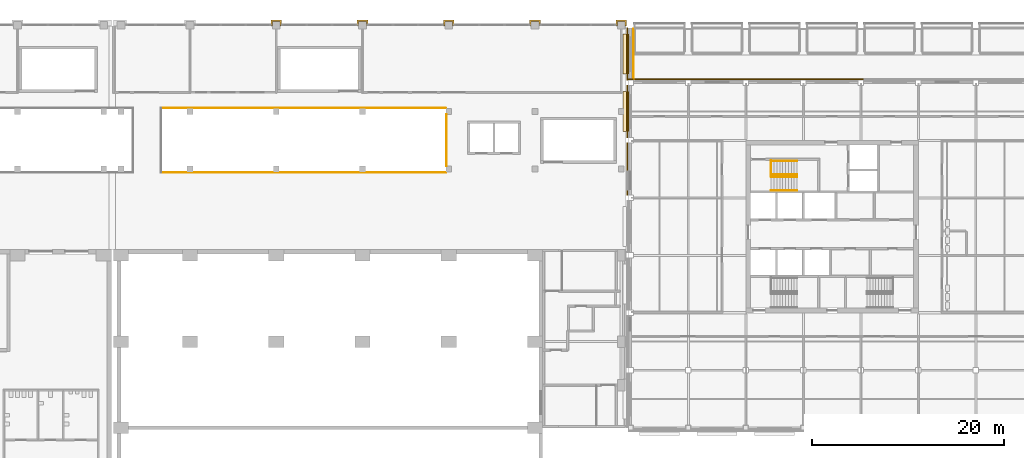
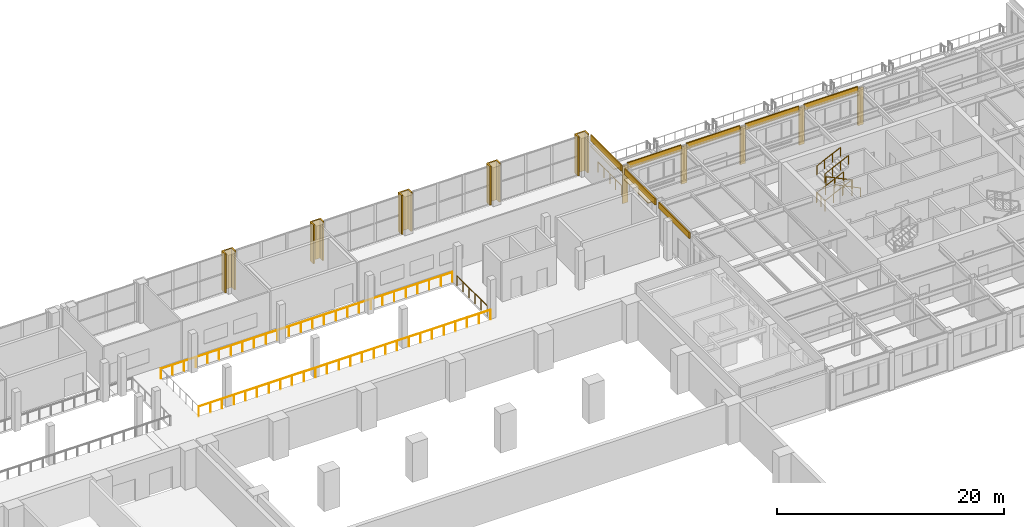
# One storey, part 35 of 39: 19 coverings, 11 railings.
"""IFC4 building model written with IfcOpenShell, lengths in metres."""

from ifc_helpers import new_model, si_unit, direction, frame, origin, origin_2d, place, context, subcontext, project, spatial, polyline, circle, outline, extrude, material, layer, layer_set, type_object, element, save


model = new_model("IFC4")

# Units and contexts
model_context = context("Model", 3, precision=1e-05, world=origin(), true_north=direction((0.0, 1.0)))
body_context = subcontext(model_context, "Body", "Model", "MODEL_VIEW")
ifc_project = project(units=[si_unit("LENGTHUNIT", "METRE"), si_unit("AREAUNIT", "SQUARE_METRE"), si_unit("VOLUMEUNIT", "CUBIC_METRE"), si_unit("PLANEANGLEUNIT", "RADIAN"), si_unit("MASSUNIT", "GRAM", prefix="KILO")], contexts=[model_context])

# Site, building, storey
site_placement = place(None, origin())
site = spatial("IfcSite", under=ifc_project, at=site_placement, CompositionType="ELEMENT")
building_placement = place(site_placement, origin())
building = spatial("IfcBuilding", under=site, at=building_placement, Name="Aravalli Gate Trade Fair Centre", CompositionType="ELEMENT")
storey_placement = place(building_placement, frame((0.0, 0.0, 15.0)))
storey = spatial("IfcBuildingStorey", under=building, at=storey_placement, Name="L03", CompositionType="ELEMENT", Elevation=15.0)

# Railings
ifc_material_1 = material(Name="Steel E350", Category="steel")
railing_type_1 = type_object("IfcRailingType", Name="Concourse guard 1100", PredefinedType="GUARDRAIL", material=ifc_material_1)
railing_1_placement = place(storey_placement, frame((110.949951171875, 117.64990234375, 0.0)))
element("IfcRailing", 1, at=railing_1_placement, inside=storey, type_object=railing_type_1, Name="Atrium guard S4 L03", PredefinedType="GUARDRAIL", context=body_context, shape_type="SweptSolid", body=[
    extrude(circle(Radius=0.02392578125, at=origin_2d()), frame((0.0, 0.0, 1.076171875), z_axis=(1.0, 0.0, 0.0), x_axis=(0.0, 1.0, 0.0)), (0.0, 0.0, 1.0), 29.75),
    extrude(circle(Radius=0.02099609375, at=origin_2d()), origin(), (0.0, 0.0, 1.0), 1.052001953125),
    extrude(circle(Radius=0.02099609375, at=origin_2d()), frame((1.18994140625, 0.0, 0.0)), (0.0, 0.0, 1.0), 1.052001953125),
    extrude(circle(Radius=0.02099609375, at=origin_2d()), frame((2.3798828125, 0.0, 0.0)), (0.0, 0.0, 1.0), 1.052001953125),
    extrude(circle(Radius=0.02099609375, at=origin_2d()), frame((3.570068359375, 0.0, 0.0)), (0.0, 0.0, 1.0), 1.052001953125),
    extrude(circle(Radius=0.02099609375, at=origin_2d()), frame((4.760009765625, 0.0, 0.0)), (0.0, 0.0, 1.0), 1.052001953125),
    extrude(circle(Radius=0.02099609375, at=origin_2d()), frame((5.949951171875, 0.0, 0.0)), (0.0, 0.0, 1.0), 1.052001953125),
    extrude(circle(Radius=0.02099609375, at=origin_2d()), frame((7.139892578125, 0.0, 0.0)), (0.0, 0.0, 1.0), 1.052001953125),
    extrude(circle(Radius=0.02099609375, at=origin_2d()), frame((8.330078125, 0.0, 0.0)), (0.0, 0.0, 1.0), 1.052001953125),
    extrude(circle(Radius=0.02099609375, at=origin_2d()), frame((9.52001953125, 0.0, 0.0)), (0.0, 0.0, 1.0), 1.052001953125),
    extrude(circle(Radius=0.02099609375, at=origin_2d()), frame((10.7099609375, 0.0, 0.0)), (0.0, 0.0, 1.0), 1.052001953125),
    extrude(circle(Radius=0.02099609375, at=origin_2d()), frame((11.89990234375, 0.0, 0.0)), (0.0, 0.0, 1.0), 1.052001953125),
    extrude(circle(Radius=0.02099609375, at=origin_2d()), frame((13.090087890625, 0.0, 0.0)), (0.0, 0.0, 1.0), 1.052001953125),
    extrude(circle(Radius=0.02099609375, at=origin_2d()), frame((14.280029296875, 0.0, 0.0)), (0.0, 0.0, 1.0), 1.052001953125),
    extrude(circle(Radius=0.02099609375, at=origin_2d()), frame((15.469970703125, 0.0, 0.0)), (0.0, 0.0, 1.0), 1.052001953125),
    extrude(circle(Radius=0.02099609375, at=origin_2d()), frame((16.659912109375, 0.0, 0.0)), (0.0, 0.0, 1.0), 1.052001953125),
    extrude(circle(Radius=0.02099609375, at=origin_2d()), frame((17.85009765625, 0.0, 0.0)), (0.0, 0.0, 1.0), 1.052001953125),
    extrude(circle(Radius=0.02099609375, at=origin_2d()), frame((19.0400390625, 0.0, 0.0)), (0.0, 0.0, 1.0), 1.052001953125),
    extrude(circle(Radius=0.02099609375, at=origin_2d()), frame((20.22998046875, 0.0, 0.0)), (0.0, 0.0, 1.0), 1.052001953125),
    extrude(circle(Radius=0.02099609375, at=origin_2d()), frame((21.419921875, 0.0, 0.0)), (0.0, 0.0, 1.0), 1.052001953125),
    extrude(circle(Radius=0.02099609375, at=origin_2d()), frame((22.610107421875, 0.0, 0.0)), (0.0, 0.0, 1.0), 1.052001953125),
    extrude(circle(Radius=0.02099609375, at=origin_2d()), frame((23.800048828125, 0.0, 0.0)), (0.0, 0.0, 1.0), 1.052001953125),
    extrude(circle(Radius=0.02099609375, at=origin_2d()), frame((24.989990234375, 0.0, 0.0)), (0.0, 0.0, 1.0), 1.052001953125),
    extrude(circle(Radius=0.02099609375, at=origin_2d()), frame((26.179931640625, 0.0, 0.0)), (0.0, 0.0, 1.0), 1.052001953125),
    extrude(circle(Radius=0.02099609375, at=origin_2d()), frame((27.3701171875, 0.0, 0.0)), (0.0, 0.0, 1.0), 1.052001953125),
    extrude(circle(Radius=0.02099609375, at=origin_2d()), frame((28.56005859375, 0.0, 0.0)), (0.0, 0.0, 1.0), 1.052001953125),
    extrude(circle(Radius=0.02099609375, at=origin_2d()), frame((29.75, 0.0, 0.0)), (0.0, 0.0, 1.0), 1.052001953125),
])
railing_2_placement = place(storey_placement, frame((110.949951171875, 124.35009765625, 0.0)))
element("IfcRailing", 2, at=railing_2_placement, inside=storey, type_object=railing_type_1, Name="Atrium guard N4 L03", PredefinedType="GUARDRAIL", context=body_context, shape_type="SweptSolid", body=[
    extrude(circle(Radius=0.02392578125, at=origin_2d()), frame((0.0, 0.0, 1.076171875), z_axis=(1.0, 0.0, 0.0), x_axis=(0.0, 1.0, 0.0)), (0.0, 0.0, 1.0), 29.75),
    extrude(circle(Radius=0.02099609375, at=origin_2d()), origin(), (0.0, 0.0, 1.0), 1.052001953125),
    extrude(circle(Radius=0.02099609375, at=origin_2d()), frame((1.18994140625, 0.0, 0.0)), (0.0, 0.0, 1.0), 1.052001953125),
    extrude(circle(Radius=0.02099609375, at=origin_2d()), frame((2.3798828125, 0.0, 0.0)), (0.0, 0.0, 1.0), 1.052001953125),
    extrude(circle(Radius=0.02099609375, at=origin_2d()), frame((3.570068359375, 0.0, 0.0)), (0.0, 0.0, 1.0), 1.052001953125),
    extrude(circle(Radius=0.02099609375, at=origin_2d()), frame((4.760009765625, 0.0, 0.0)), (0.0, 0.0, 1.0), 1.052001953125),
    extrude(circle(Radius=0.02099609375, at=origin_2d()), frame((5.949951171875, 0.0, 0.0)), (0.0, 0.0, 1.0), 1.052001953125),
    extrude(circle(Radius=0.02099609375, at=origin_2d()), frame((7.139892578125, 0.0, 0.0)), (0.0, 0.0, 1.0), 1.052001953125),
    extrude(circle(Radius=0.02099609375, at=origin_2d()), frame((8.330078125, 0.0, 0.0)), (0.0, 0.0, 1.0), 1.052001953125),
    extrude(circle(Radius=0.02099609375, at=origin_2d()), frame((9.52001953125, 0.0, 0.0)), (0.0, 0.0, 1.0), 1.052001953125),
    extrude(circle(Radius=0.02099609375, at=origin_2d()), frame((10.7099609375, 0.0, 0.0)), (0.0, 0.0, 1.0), 1.052001953125),
    extrude(circle(Radius=0.02099609375, at=origin_2d()), frame((11.89990234375, 0.0, 0.0)), (0.0, 0.0, 1.0), 1.052001953125),
    extrude(circle(Radius=0.02099609375, at=origin_2d()), frame((13.090087890625, 0.0, 0.0)), (0.0, 0.0, 1.0), 1.052001953125),
    extrude(circle(Radius=0.02099609375, at=origin_2d()), frame((14.280029296875, 0.0, 0.0)), (0.0, 0.0, 1.0), 1.052001953125),
    extrude(circle(Radius=0.02099609375, at=origin_2d()), frame((15.469970703125, 0.0, 0.0)), (0.0, 0.0, 1.0), 1.052001953125),
    extrude(circle(Radius=0.02099609375, at=origin_2d()), frame((16.659912109375, 0.0, 0.0)), (0.0, 0.0, 1.0), 1.052001953125),
    extrude(circle(Radius=0.02099609375, at=origin_2d()), frame((17.85009765625, 0.0, 0.0)), (0.0, 0.0, 1.0), 1.052001953125),
    extrude(circle(Radius=0.02099609375, at=origin_2d()), frame((19.0400390625, 0.0, 0.0)), (0.0, 0.0, 1.0), 1.052001953125),
    extrude(circle(Radius=0.02099609375, at=origin_2d()), frame((20.22998046875, 0.0, 0.0)), (0.0, 0.0, 1.0), 1.052001953125),
    extrude(circle(Radius=0.02099609375, at=origin_2d()), frame((21.419921875, 0.0, 0.0)), (0.0, 0.0, 1.0), 1.052001953125),
    extrude(circle(Radius=0.02099609375, at=origin_2d()), frame((22.610107421875, 0.0, 0.0)), (0.0, 0.0, 1.0), 1.052001953125),
    extrude(circle(Radius=0.02099609375, at=origin_2d()), frame((23.800048828125, 0.0, 0.0)), (0.0, 0.0, 1.0), 1.052001953125),
    extrude(circle(Radius=0.02099609375, at=origin_2d()), frame((24.989990234375, 0.0, 0.0)), (0.0, 0.0, 1.0), 1.052001953125),
    extrude(circle(Radius=0.02099609375, at=origin_2d()), frame((26.179931640625, 0.0, 0.0)), (0.0, 0.0, 1.0), 1.052001953125),
    extrude(circle(Radius=0.02099609375, at=origin_2d()), frame((27.3701171875, 0.0, 0.0)), (0.0, 0.0, 1.0), 1.052001953125),
    extrude(circle(Radius=0.02099609375, at=origin_2d()), frame((28.56005859375, 0.0, 0.0)), (0.0, 0.0, 1.0), 1.052001953125),
    extrude(circle(Radius=0.02099609375, at=origin_2d()), frame((29.75, 0.0, 0.0)), (0.0, 0.0, 1.0), 1.052001953125),
])
railing_3_placement = place(storey_placement, frame((140.75, 118.300048828125, 0.0)))
element("IfcRailing", 3, at=railing_3_placement, inside=storey, type_object=railing_type_1, Name="Atrium guard E L03", PredefinedType="GUARDRAIL", context=body_context, shape_type="SweptSolid", body=[
    extrude(circle(Radius=0.02392578125, at=origin_2d()), frame((0.0, 0.0, 1.076171875), z_axis=(0.0, 1.0, 0.0), x_axis=(-1.0, 0.0, 0.0)), (0.0, 0.0, 1.0), 5.39990234375),
    extrude(circle(Radius=0.02099609375, at=origin_2d()), origin(), (0.0, 0.0, 1.0), 1.052001953125),
    extrude(circle(Radius=0.02099609375, at=origin_2d()), frame((0.0, 1.080078125, 0.0)), (0.0, 0.0, 1.0), 1.052001953125),
    extrude(circle(Radius=0.02099609375, at=origin_2d()), frame((0.0, 2.159912109375, 0.0)), (0.0, 0.0, 1.0), 1.052001953125),
    extrude(circle(Radius=0.02099609375, at=origin_2d()), frame((0.0, 3.239990234375, 0.0)), (0.0, 0.0, 1.0), 1.052001953125),
    extrude(circle(Radius=0.02099609375, at=origin_2d()), frame((0.0, 4.31982421875, 0.0)), (0.0, 0.0, 1.0), 1.052001953125),
    extrude(circle(Radius=0.02099609375, at=origin_2d()), frame((0.0, 5.39990234375, 0.0)), (0.0, 0.0, 1.0), 1.052001953125),
])

# Coverings
ifc_material_2 = material(Name="Glazed terracotta", Category="masonry")
ifc_layer_1 = layer(ifc_material_2, 0.14990234375)
ifc_layer_set_1 = layer_set([ifc_layer_1], Name="Glazed terracotta")
covering_type_1 = type_object("IfcCoveringType", Name="Terracotta pier casing 150", PredefinedType="CLADDING", material=ifc_layer_set_1)
covering_1_placement = place(storey_placement, origin())
element("IfcCovering", 4, at=covering_1_placement, inside=storey, type_object=covering_type_1, Name="Pier casing K14 L03", PredefinedType="CLADDING", context=body_context, shape_type="SweptSolid", body=[
    extrude(outline(polyline([(122.449951171875, 132.919921875), (122.60009765625, 132.919921875), (122.60009765625, 133.39990234375), (123.39990234375, 133.39990234375), (123.39990234375, 132.919921875), (123.550048828125, 132.919921875), (123.550048828125, 133.550048828125), (122.449951171875, 133.550048828125), (122.449951171875, 132.919921875)])), origin(), (0.0, 0.0, 1.0), 4.199951171875),
])
covering_2_placement = place(storey_placement, origin())
element("IfcCovering", 5, at=covering_2_placement, inside=storey, type_object=covering_type_1, Name="Pier casing K15 L03", PredefinedType="CLADDING", context=body_context, shape_type="SweptSolid", body=[
    extrude(outline(polyline([(131.449951171875, 132.919921875), (131.60009765625, 132.919921875), (131.60009765625, 133.39990234375), (132.39990234375, 133.39990234375), (132.39990234375, 132.919921875), (132.550048828125, 132.919921875), (132.550048828125, 133.550048828125), (131.449951171875, 133.550048828125), (131.449951171875, 132.919921875)])), origin(), (0.0, 0.0, 1.0), 4.199951171875),
])
covering_3_placement = place(storey_placement, origin())
element("IfcCovering", 6, at=covering_3_placement, inside=storey, type_object=covering_type_1, Name="Pier casing K16 L03", PredefinedType="CLADDING", context=body_context, shape_type="SweptSolid", body=[
    extrude(outline(polyline([(140.449951171875, 132.919921875), (140.60009765625, 132.919921875), (140.60009765625, 133.39990234375), (141.39990234375, 133.39990234375), (141.39990234375, 132.919921875), (141.550048828125, 132.919921875), (141.550048828125, 133.550048828125), (140.449951171875, 133.550048828125), (140.449951171875, 132.919921875)])), origin(), (0.0, 0.0, 1.0), 4.199951171875),
])
covering_4_placement = place(storey_placement, origin())
element("IfcCovering", 7, at=covering_4_placement, inside=storey, type_object=covering_type_1, Name="Pier casing K17 L03", PredefinedType="CLADDING", context=body_context, shape_type="SweptSolid", body=[
    extrude(outline(polyline([(149.449951171875, 132.919921875), (149.60009765625, 132.919921875), (149.60009765625, 133.39990234375), (150.39990234375, 133.39990234375), (150.39990234375, 132.919921875), (150.550048828125, 132.919921875), (150.550048828125, 133.550048828125), (149.449951171875, 133.550048828125), (149.449951171875, 132.919921875)])), origin(), (0.0, 0.0, 1.0), 4.199951171875),
])
covering_5_placement = place(storey_placement, origin())
element("IfcCovering", 8, at=covering_5_placement, inside=storey, type_object=covering_type_1, Name="Pier casing KE L03", PredefinedType="CLADDING", context=body_context, shape_type="SweptSolid", body=[
    extrude(outline(polyline([(158.449951171875, 132.919921875), (158.60009765625, 132.919921875), (158.60009765625, 133.39990234375), (159.39990234375, 133.39990234375), (159.39990234375, 132.919921875), (159.550048828125, 132.919921875), (159.550048828125, 133.550048828125), (158.449951171875, 133.550048828125), (158.449951171875, 132.919921875)])), origin(), (0.0, 0.0, 1.0), 4.199951171875),
])
ifc_material_3 = material(Name="Terracotta", Category="masonry")
ifc_layer_2 = layer(ifc_material_3, 0.10009765625)
ifc_layer_set_2 = layer_set([ifc_layer_2], Name="Terracotta")
covering_type_2 = type_object("IfcCoveringType", Name="Wing chhajja hood 100", PredefinedType="MOLDING", material=ifc_layer_set_2)
covering_6_placement = place(storey_placement, frame((0.0, 0.0, 3.449951171875)))
element("IfcCovering", 9, at=covering_6_placement, inside=storey, type_object=covering_type_2, Name="Chhajja hood W5 L03", PredefinedType="MOLDING", context=body_context, shape_type="SweptSolid", body=[
    extrude(outline(polyline([(159.199951171875, 121.89990234375), (159.800048828125, 121.89990234375), (159.800048828125, 126.10009765625), (159.199951171875, 126.10009765625), (159.199951171875, 121.89990234375)])), origin(), (0.0, 0.0, 1.0), 0.10009765625),
])
covering_7_placement = place(storey_placement, frame((0.0, 0.0, 3.449951171875)))
element("IfcCovering", 10, at=covering_7_placement, inside=storey, type_object=covering_type_2, Name="Chhajja hood W6 L03", PredefinedType="MOLDING", context=body_context, shape_type="SweptSolid", body=[
    extrude(outline(polyline([(159.199951171875, 127.89990234375), (159.800048828125, 127.89990234375), (159.800048828125, 132.10009765625), (159.199951171875, 132.10009765625), (159.199951171875, 127.89990234375)])), origin(), (0.0, 0.0, 1.0), 0.10009765625),
])
ifc_layer_3 = layer(ifc_material_2, 0.14990234375)
ifc_layer_set_3 = layer_set([ifc_layer_3], Name="Glazed terracotta")
covering_type_3 = type_object("IfcCoveringType", Name="Wing pier casing 150", PredefinedType="CLADDING", material=ifc_layer_set_3)
covering_8_placement = place(storey_placement, origin())
element("IfcCovering", 11, at=covering_8_placement, inside=storey, type_object=covering_type_3, Name="Pier casing 18T4 N L03", PredefinedType="CLADDING", context=body_context, shape_type="SweptSolid", body=[
    extrude(outline(polyline([(159.72509765625, 127.27490234375), (160.27490234375, 127.27490234375), (160.27490234375, 127.425048828125), (159.72509765625, 127.425048828125), (159.72509765625, 127.27490234375)])), origin(), (0.0, 0.0, 1.0), 4.0),
])
covering_9_placement = place(storey_placement, origin())
element("IfcCovering", 12, at=covering_9_placement, inside=storey, type_object=covering_type_3, Name="Pier casing 19T4 N L03", PredefinedType="CLADDING", context=body_context, shape_type="SweptSolid", body=[
    extrude(outline(polyline([(165.72509765625, 127.27490234375), (166.27490234375, 127.27490234375), (166.27490234375, 127.425048828125), (165.72509765625, 127.425048828125), (165.72509765625, 127.27490234375)])), origin(), (0.0, 0.0, 1.0), 4.0),
])
covering_10_placement = place(storey_placement, origin())
element("IfcCovering", 13, at=covering_10_placement, inside=storey, type_object=covering_type_3, Name="Pier casing 20T4 N L03", PredefinedType="CLADDING", context=body_context, shape_type="SweptSolid", body=[
    extrude(outline(polyline([(171.72509765625, 127.27490234375), (172.27490234375, 127.27490234375), (172.27490234375, 127.425048828125), (171.72509765625, 127.425048828125), (171.72509765625, 127.27490234375)])), origin(), (0.0, 0.0, 1.0), 4.0),
])
covering_11_placement = place(storey_placement, origin())
element("IfcCovering", 14, at=covering_11_placement, inside=storey, type_object=covering_type_3, Name="Pier casing 21T4 N L03", PredefinedType="CLADDING", context=body_context, shape_type="SweptSolid", body=[
    extrude(outline(polyline([(177.72509765625, 127.27490234375), (178.27490234375, 127.27490234375), (178.27490234375, 127.425048828125), (177.72509765625, 127.425048828125), (177.72509765625, 127.27490234375)])), origin(), (0.0, 0.0, 1.0), 4.0),
])
covering_12_placement = place(storey_placement, origin())
element("IfcCovering", 15, at=covering_12_placement, inside=storey, type_object=covering_type_3, Name="Pier casing 22T4 N L03", PredefinedType="CLADDING", context=body_context, shape_type="SweptSolid", body=[
    extrude(outline(polyline([(183.72509765625, 127.27490234375), (184.27490234375, 127.27490234375), (184.27490234375, 127.425048828125), (183.72509765625, 127.425048828125), (183.72509765625, 127.27490234375)])), origin(), (0.0, 0.0, 1.0), 4.0),
])
ifc_layer_4 = layer(ifc_material_2, 0.1201171875)
ifc_layer_set_4 = layer_set([ifc_layer_4], Name="Glazed terracotta")
covering_type_4 = type_object("IfcCoveringType", Name="Wing spandrel band 120", PredefinedType="CLADDING", material=ifc_layer_set_4)
covering_13_placement = place(storey_placement, frame((0.0, 0.0, 3.550048828125)))
element("IfcCovering", 16, at=covering_13_placement, inside=storey, type_object=covering_type_4, Name="Spandrel band N0 L03", PredefinedType="CLADDING", context=body_context, shape_type="SweptSolid", body=[
    extrude(outline(polyline([(160.27490234375, 127.304931640625), (165.72509765625, 127.304931640625), (165.72509765625, 127.425048828125), (160.27490234375, 127.425048828125), (160.27490234375, 127.304931640625)])), origin(), (0.0, 0.0, 1.0), 0.64990234375),
])
covering_14_placement = place(storey_placement, frame((0.0, 0.0, 3.550048828125)))
element("IfcCovering", 17, at=covering_14_placement, inside=storey, type_object=covering_type_4, Name="Spandrel band N1 L03", PredefinedType="CLADDING", context=body_context, shape_type="SweptSolid", body=[
    extrude(outline(polyline([(166.27490234375, 127.304931640625), (171.72509765625, 127.304931640625), (171.72509765625, 127.425048828125), (166.27490234375, 127.425048828125), (166.27490234375, 127.304931640625)])), origin(), (0.0, 0.0, 1.0), 0.64990234375),
])
covering_15_placement = place(storey_placement, frame((0.0, 0.0, 3.550048828125)))
element("IfcCovering", 18, at=covering_15_placement, inside=storey, type_object=covering_type_4, Name="Spandrel band N2 L03", PredefinedType="CLADDING", context=body_context, shape_type="SweptSolid", body=[
    extrude(outline(polyline([(172.27490234375, 127.304931640625), (177.72509765625, 127.304931640625), (177.72509765625, 127.425048828125), (172.27490234375, 127.425048828125), (172.27490234375, 127.304931640625)])), origin(), (0.0, 0.0, 1.0), 0.64990234375),
])
covering_16_placement = place(storey_placement, frame((0.0, 0.0, 3.550048828125)))
element("IfcCovering", 19, at=covering_16_placement, inside=storey, type_object=covering_type_4, Name="Spandrel band N3 L03", PredefinedType="CLADDING", context=body_context, shape_type="SweptSolid", body=[
    extrude(outline(polyline([(178.27490234375, 127.304931640625), (183.72509765625, 127.304931640625), (183.72509765625, 127.425048828125), (178.27490234375, 127.425048828125), (178.27490234375, 127.304931640625)])), origin(), (0.0, 0.0, 1.0), 0.64990234375),
])
covering_17_placement = place(storey_placement, frame((0.0, 0.0, 3.550048828125)))
element("IfcCovering", 20, at=covering_17_placement, inside=storey, type_object=covering_type_4, Name="Spandrel band W4 L03", PredefinedType="CLADDING", context=body_context, shape_type="SweptSolid", body=[
    extrude(outline(polyline([(159.574951171875, 115.27490234375), (159.695068359375, 115.27490234375), (159.695068359375, 120.72509765625), (159.574951171875, 120.72509765625), (159.574951171875, 115.27490234375)])), origin(), (0.0, 0.0, 1.0), 0.64990234375),
])
covering_18_placement = place(storey_placement, frame((0.0, 0.0, 3.550048828125)))
element("IfcCovering", 21, at=covering_18_placement, inside=storey, type_object=covering_type_4, Name="Spandrel band W5 L03", PredefinedType="CLADDING", context=body_context, shape_type="SweptSolid", body=[
    extrude(outline(polyline([(159.574951171875, 121.27490234375), (159.695068359375, 121.27490234375), (159.695068359375, 126.72509765625), (159.574951171875, 126.72509765625), (159.574951171875, 121.27490234375)])), origin(), (0.0, 0.0, 1.0), 0.64990234375),
])
covering_19_placement = place(storey_placement, frame((0.0, 0.0, 3.550048828125)))
element("IfcCovering", 22, at=covering_19_placement, inside=storey, type_object=covering_type_4, Name="Spandrel band W6 L03", PredefinedType="CLADDING", context=body_context, shape_type="SweptSolid", body=[
    extrude(outline(polyline([(159.574951171875, 127.27490234375), (159.695068359375, 127.27490234375), (159.695068359375, 132.72509765625), (159.574951171875, 132.72509765625), (159.574951171875, 127.27490234375)])), origin(), (0.0, 0.0, 1.0), 0.64990234375),
])

# Railings
railing_type_2 = type_object("IfcRailingType", Name="Wing stair handrail", PredefinedType="HANDRAIL", material=ifc_material_1)
for number, where, name in (
    (23, (174.64990234375, 117.419921875, 0.144775390625), "Handrail FFS L03 1a"),
    (24, (174.64990234375, 118.840087890625, 0.144775390625), "Handrail FFS L03 1b"),
):
    element("IfcRailing", number, at=place(storey_placement, frame(where)), inside=storey, type_object=railing_type_2, Name=name, PredefinedType="HANDRAIL", context=body_context, shape_type="SweptSolid", body=[
        extrude(circle(Radius=0.02392578125, at=origin_2d()), frame((0.0, 0.0, 0.92578125), z_axis=(0.900561529634, 0.0, 0.434728572036), x_axis=(0.0, 1.0, 0.0)), (0.0, 0.0, 1.0), 2.998291015625),
        extrude(circle(Radius=0.02099609375, at=origin_2d()), origin(), (0.0, 0.0, 1.0), 0.90185546875),
        extrude(circle(Radius=0.02099609375, at=origin_2d()), frame((0.900146484375, 0.0, 0.4345703125)), (0.0, 0.0, 1.0), 0.90185546875),
        extrude(circle(Radius=0.02099609375, at=origin_2d()), frame((1.800048828125, 0.0, 0.868896484375)), (0.0, 0.0, 1.0), 0.90185546875),
        extrude(circle(Radius=0.02099609375, at=origin_2d()), frame((2.7001953125, 0.0, 1.303466796875)), (0.0, 0.0, 1.0), 0.90185546875),
    ])
for number, where, name in (
    (25, (177.35009765625, 115.760009765625, 1.593017578125), "Handrail FFS L03 2a"),
    (26, (177.35009765625, 117.179931640625, 1.593017578125), "Handrail FFS L03 2b"),
):
    element("IfcRailing", number, at=place(storey_placement, frame(where)), inside=storey, type_object=railing_type_2, Name=name, PredefinedType="HANDRAIL", context=body_context, shape_type="SweptSolid", body=[
        extrude(circle(Radius=0.02392578125, at=origin_2d()), frame((0.0, 0.0, 0.92578125), z_axis=(-0.900561529634, 0.0, 0.434728572036), x_axis=(0.0, -1.0, 0.0)), (0.0, 0.0, 1.0), 2.998291015625),
        extrude(circle(Radius=0.02099609375, at=origin_2d()), origin(), (0.0, 0.0, 1.0), 0.90185546875),
        extrude(circle(Radius=0.02099609375, at=origin_2d()), frame((-0.900146484375, 0.0, 0.4345703125)), (0.0, 0.0, 1.0), 0.90185546875),
        extrude(circle(Radius=0.02099609375, at=origin_2d()), frame((-1.800048828125, 0.0, 0.868896484375)), (0.0, 0.0, 1.0), 0.90185546875),
        extrude(circle(Radius=0.02099609375, at=origin_2d()), frame((-2.7001953125, 0.0, 1.303466796875)), (0.0, 0.0, 1.0), 0.90185546875),
    ])
for number, where, name in (
    (27, (174.64990234375, 117.419921875, 3.041259765625), "Handrail FFS L03 3a"),
    (28, (174.64990234375, 118.840087890625, 3.041259765625), "Handrail FFS L03 3b"),
):
    element("IfcRailing", number, at=place(storey_placement, frame(where)), inside=storey, type_object=railing_type_2, Name=name, PredefinedType="HANDRAIL", context=body_context, shape_type="SweptSolid", body=[
        extrude(circle(Radius=0.02392578125, at=origin_2d()), frame((0.0, 0.0, 0.92578125), z_axis=(0.900551636365, 0.0, 0.434749065831), x_axis=(0.0, 1.0, 0.0)), (0.0, 0.0, 1.0), 2.665283203125),
        extrude(circle(Radius=0.02099609375, at=origin_2d()), origin(), (0.0, 0.0, 1.0), 0.90185546875),
        extrude(circle(Radius=0.02099609375, at=origin_2d()), frame((0.800048828125, 0.0, 0.38623046875)), (0.0, 0.0, 1.0), 0.90185546875),
        extrude(circle(Radius=0.02099609375, at=origin_2d()), frame((1.60009765625, 0.0, 0.7724609375)), (0.0, 0.0, 1.0), 0.90185546875),
        extrude(circle(Radius=0.02099609375, at=origin_2d()), frame((2.400146484375, 0.0, 1.15869140625)), (0.0, 0.0, 1.0), 0.90185546875),
    ])
railing_type_3 = type_object("IfcRailingType", Name="Wing stair roof guard", PredefinedType="GUARDRAIL", material=ifc_material_1)
railing_4_placement = place(storey_placement, frame((174.64990234375, 117.360107421875, 0.0)))
element("IfcRailing", 29, at=railing_4_placement, inside=storey, type_object=railing_type_3, Name="Guard FFS landing L03", PredefinedType="GUARDRAIL", context=body_context, shape_type="SweptSolid", body=[
    extrude(circle(Radius=0.02392578125, at=origin_2d()), frame((0.0, 0.0, 1.076171875), z_axis=(0.0, 1.0, 0.0), x_axis=(-1.0, 0.0, 0.0)), (0.0, 0.0, 1.0), 1.539794921875),
    extrude(circle(Radius=0.02099609375, at=origin_2d()), origin(), (0.0, 0.0, 1.0), 1.052001953125),
    extrude(circle(Radius=0.02099609375, at=origin_2d()), frame((0.0, 0.77001953125, 0.0)), (0.0, 0.0, 1.0), 1.052001953125),
    extrude(circle(Radius=0.02099609375, at=origin_2d()), frame((0.0, 1.539794921875, 0.0)), (0.0, 0.0, 1.0), 1.052001953125),
])
railing_type_4 = type_object("IfcRailingType", Name="Wing terrace guard", PredefinedType="GUARDRAIL", material=ifc_material_1)
railing_5_placement = place(storey_placement, frame((160.300048828125, 127.405029296875, 0.0)))
element("IfcRailing", 30, at=railing_5_placement, inside=storey, type_object=railing_type_4, Name="Terrace guard L03 30", PredefinedType="GUARDRAIL", context=body_context, shape_type="SweptSolid", body=[
    extrude(circle(Radius=0.02392578125, at=origin_2d()), frame((0.0, 0.0, 1.076171875), z_axis=(0.0, 1.0, 0.0), x_axis=(-1.0, 0.0, 0.0)), (0.0, 0.0, 1.0), 5.219970703125),
    extrude(circle(Radius=0.02099609375, at=origin_2d()), origin(), (0.0, 0.0, 1.0), 1.052001953125),
    extrude(circle(Radius=0.02099609375, at=origin_2d()), frame((0.0, 1.0439453125, 0.0)), (0.0, 0.0, 1.0), 1.052001953125),
    extrude(circle(Radius=0.02099609375, at=origin_2d()), frame((0.0, 2.087890625, 0.0)), (0.0, 0.0, 1.0), 1.052001953125),
    extrude(circle(Radius=0.02099609375, at=origin_2d()), frame((0.0, 3.132080078125, 0.0)), (0.0, 0.0, 1.0), 1.052001953125),
    extrude(circle(Radius=0.02099609375, at=origin_2d()), frame((0.0, 4.176025390625, 0.0)), (0.0, 0.0, 1.0), 1.052001953125),
    extrude(circle(Radius=0.02099609375, at=origin_2d()), frame((0.0, 5.219970703125, 0.0)), (0.0, 0.0, 1.0), 1.052001953125),
])

save(model, "model.ifc")
